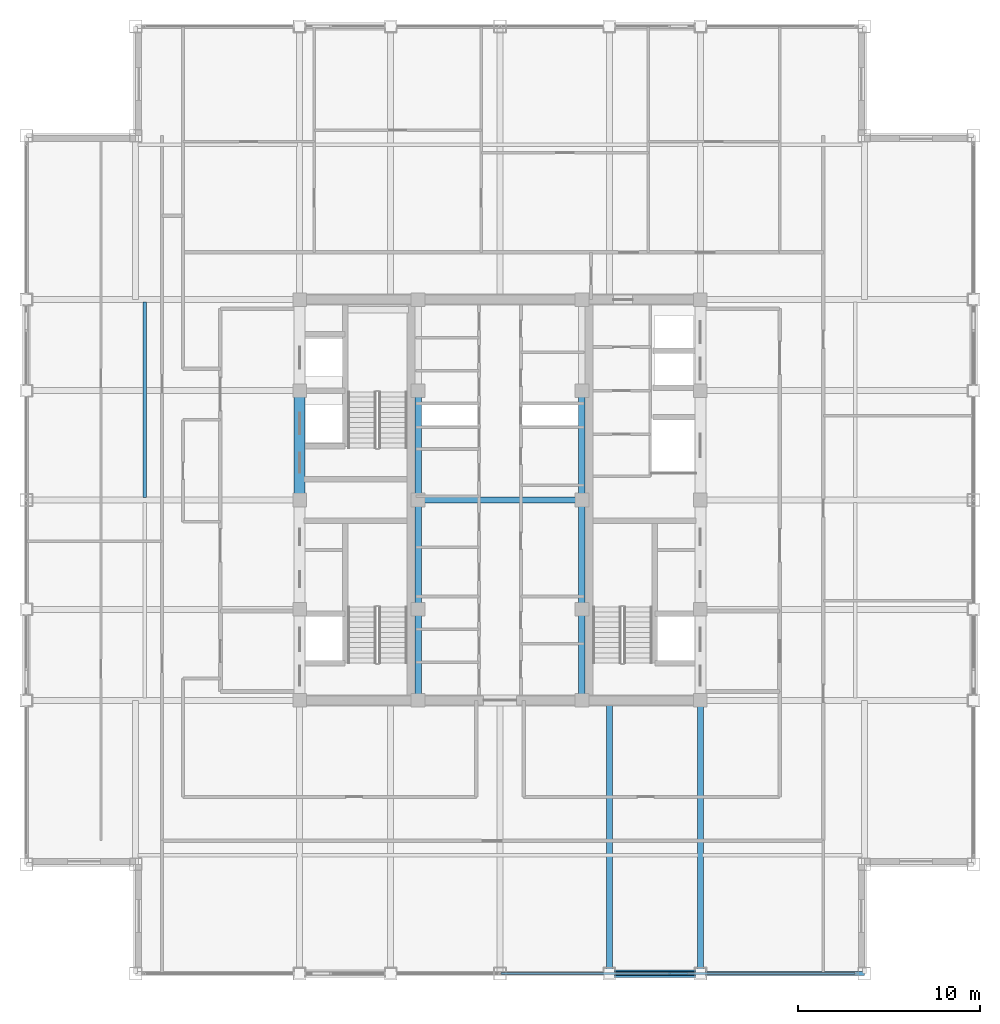
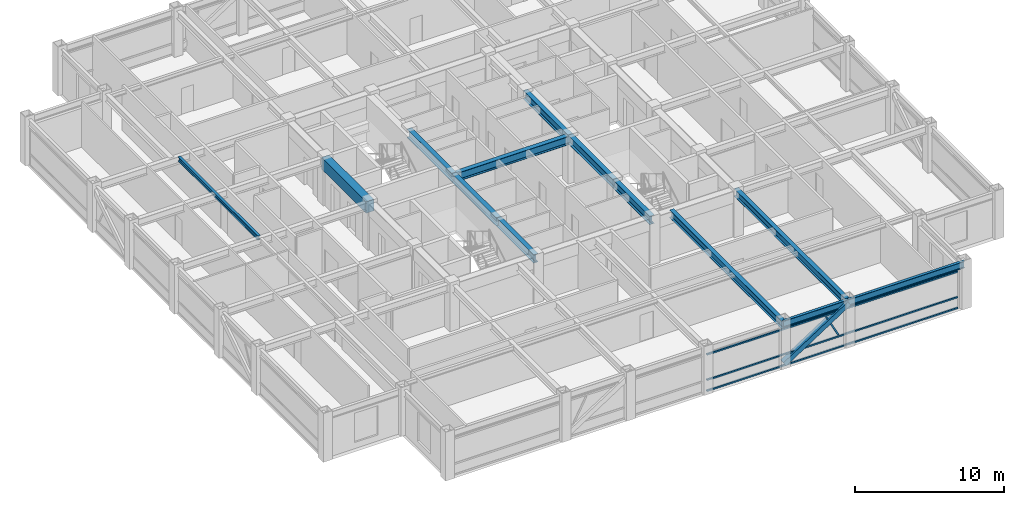
# One storey, part 7 of 29: 13 beams, 5 members, 1 element without a shape of its own.
"""IFC4 building model written with IfcOpenShell, lengths in metres."""

from ifc_helpers import new_model, si_unit, direction, frame, origin, origin_2d, place, context, subcontext, project, spatial, rectangle, hollow_rectangle, i_section, extrude, source, transform, mapped, material, material_profile, profile_set, type_object, element, aggregate, save


model = new_model("IFC4")

# Units and contexts
model_context = context("Model", 3, precision=1e-05, world=origin(), true_north=direction((0.0, 1.0)))
body_context = subcontext(model_context, "Body", "Model", "MODEL_VIEW")
ifc_project = project(units=[si_unit("LENGTHUNIT", "METRE"), si_unit("AREAUNIT", "SQUARE_METRE"), si_unit("VOLUMEUNIT", "CUBIC_METRE"), si_unit("PLANEANGLEUNIT", "RADIAN"), si_unit("MASSUNIT", "GRAM", prefix="KILO")], contexts=[model_context])

# Site, building, storey
site_placement = place(None, origin())
site = spatial("IfcSite", under=ifc_project, at=site_placement, CompositionType="ELEMENT")
building_placement = place(site_placement, origin())
building = spatial("IfcBuilding", under=site, at=building_placement, Name="Khorayat Bourse Tower", CompositionType="ELEMENT")
storey_placement = place(building_placement, frame((0.0, 0.0, 362.300048828125)))
storey = spatial("IfcBuildingStorey", under=building, at=storey_placement, Name="L86", CompositionType="ELEMENT", Elevation=362.300048828125)

# Beams
ifc_material_1 = material(Name="Steel ASTM A992 Grade 50", Category="steel")
ifc_material_profile_1 = material_profile(ifc_material_1, i_section(OverallWidth=0.35498046875, OverallDepth=0.695068359375, WebThickness=0.015380859375, FlangeThickness=0.02490234375, FilletRadius=0.01806640625, at=origin_2d()), Name="W690X217")
ifc_profile_set_1 = profile_set([ifc_material_profile_1], Name="Steel ASTM A992 Grade 50")
beam_type_1 = type_object("IfcBeamType", Name="BM-GIRD-690", PredefinedType="BEAM", material=ifc_profile_set_1)
shared_shape_1 = source(origin(), body_context, "Body", "SweptSolid", [
    extrude(i_section(OverallWidth=0.35498046875, OverallDepth=0.695068359375, WebThickness=0.015380859375, FlangeThickness=0.02490234375, FilletRadius=0.01806640625, at=origin_2d()), origin(), (0.0, 0.0, 1.0), 5.0),
])
for number, where, z_axis, x_axis, name in (
    (1, (-4.5, -11.0, 3.392333984375), (0.0, 1.0, 0.0), (-1.0, 0.0, 0.0), "L86 BM-GIRD-690 BM-L86-CRX-05"),
    (2, (4.5, -11.0, 3.392333984375), (0.0, 1.0, 0.0), (-1.0, 0.0, 0.0), "L86 BM-GIRD-690 BM-L86-CRX-09"),
):
    element("IfcBeam", number, at=place(storey_placement, frame(where, z_axis=z_axis, x_axis=x_axis)), inside=storey, type_object=beam_type_1, Name=name, PredefinedType="BEAM", context=body_context, shape_type="MappedRepresentation", body=[
        mapped(shared_shape_1, transform((0.0, 0.0, 0.0), scale=1.0)),
    ])
shared_shape_2 = source(origin(), body_context, "Body", "SweptSolid", [
    extrude(i_section(OverallWidth=0.35498046875, OverallDepth=0.695068359375, WebThickness=0.015380859375, FlangeThickness=0.02490234375, FilletRadius=0.01806640625, at=origin_2d()), origin(), (0.0, 0.0, 1.0), 6.0),
])
for number, where, z_axis, x_axis, name in (
    (3, (-4.5, -6.0, 3.392333984375), (0.0, 1.0, 0.0), (-1.0, 0.0, 0.0), "L86 BM-GIRD-690 BM-L86-CRX-06"),
    (4, (-4.5, 0.0, 3.392333984375), (0.0, 1.0, 0.0), (-1.0, 0.0, 0.0), "L86 BM-GIRD-690 BM-L86-CRX-07"),
    (5, (4.5, -6.0, 3.392333984375), (0.0, 1.0, 0.0), (-1.0, 0.0, 0.0), "L86 BM-GIRD-690 BM-L86-CRX-10"),
    (6, (4.5, 0.0, 3.392333984375), (0.0, 1.0, 0.0), (-1.0, 0.0, 0.0), "L86 BM-GIRD-690 BM-L86-CRX-11"),
):
    element("IfcBeam", number, at=place(storey_placement, frame(where, z_axis=z_axis, x_axis=x_axis)), inside=storey, type_object=beam_type_1, Name=name, PredefinedType="BEAM", context=body_context, shape_type="MappedRepresentation", body=[
        mapped(shared_shape_2, transform((0.0, 0.0, 0.0), scale=1.0)),
    ])
shared_shape_3 = source(origin(), body_context, "Body", "SweptSolid", [
    extrude(i_section(OverallWidth=0.35498046875, OverallDepth=0.695068359375, WebThickness=0.015380859375, FlangeThickness=0.02490234375, FilletRadius=0.01806640625, at=origin_2d()), origin(), (0.0, 0.0, 1.0), 9.0),
])
beam_1_placement = place(storey_placement, frame((-4.5, 0.0, 3.392333984375), z_axis=(1.0, 0.0, 0.0), x_axis=(0.0, 1.0, 0.0)))
element("IfcBeam", 7, at=beam_1_placement, inside=storey, type_object=beam_type_1, Name="L86 BM-GIRD-690 BM-L86-CRY-23", PredefinedType="BEAM", context=body_context, shape_type="MappedRepresentation", body=[
    mapped(shared_shape_3, transform((0.0, 0.0, 0.0), scale=1.0)),
])
ifc_material_2 = material(Name="Concrete C60/75", Category="concrete")
ifc_material_profile_2 = material_profile(ifc_material_2, rectangle(XDim=0.60009765625, YDim=0.949951171875, at=origin_2d()), Name="RC 600x950")
ifc_profile_set_2 = profile_set([ifc_material_profile_2], Name="Concrete C60/75")
beam_type_2 = type_object("IfcBeamType", Name="BM-COUP-950", PredefinedType="BEAM", material=ifc_profile_set_2)
shared_shape_4 = source(origin(), body_context, "Body", "SweptSolid", [
    extrude(rectangle(XDim=0.60009765625, YDim=0.949951171875, at=origin_2d()), origin(), (0.0, 0.0, 1.0), 6.0),
])
beam_2_placement = place(storey_placement, frame((-11.0, 0.0, 3.264892578125), z_axis=(0.0, 1.0, 0.0), x_axis=(-1.0, 0.0, 0.0)))
element("IfcBeam", 8, at=beam_2_placement, inside=storey, type_object=beam_type_2, Name="L86 BM-COUP-950 BM-L86-CRX-03", PredefinedType="BEAM", context=body_context, shape_type="MappedRepresentation", body=[
    mapped(shared_shape_4, transform((0.0, 0.0, 0.0), scale=1.0)),
])
ifc_material_profile_3 = material_profile(ifc_material_1, i_section(OverallWidth=0.202880859375, OverallDepth=0.346923828125, WebThickness=0.0078125, FlangeThickness=0.013427734375, FilletRadius=0.010009765625, at=origin_2d()), Name="W360X64")
ifc_profile_set_3 = profile_set([ifc_material_profile_3], Name="Steel ASTM A992 Grade 50")
beam_type_3 = type_object("IfcBeamType", Name="BM-JOIST-360", PredefinedType="JOIST", material=ifc_profile_set_3)
shared_shape_5 = source(origin(), body_context, "Body", "SweptSolid", [
    extrude(i_section(OverallWidth=0.202880859375, OverallDepth=0.346923828125, WebThickness=0.0078125, FlangeThickness=0.013427734375, FilletRadius=0.010009765625, at=origin_2d()), origin(), (0.0, 0.0, 1.0), 10.740234375),
])
beam_3_placement = place(storey_placement, frame((-19.5, 0.1298828125, 3.56640625), z_axis=(0.0, 1.0, 0.0), x_axis=(-1.0, 0.0, 0.0)))
element("IfcBeam", 9, at=beam_3_placement, inside=storey, type_object=beam_type_3, Name="L86 BM-JOIST-360 BM-L86-JSTY-087", PredefinedType="JOIST", context=body_context, shape_type="MappedRepresentation", body=[
    mapped(shared_shape_5, transform((0.0, 0.0, 0.0), scale=1.0)),
])
ifc_material_profile_4 = material_profile(ifc_material_1, i_section(OverallWidth=0.214111328125, OverallDepth=0.549072265625, WebThickness=0.0146484375, FlangeThickness=0.023681640625, FilletRadius=0.013916015625, at=origin_2d()), Name="W530X138")
ifc_profile_set_4 = profile_set([ifc_material_profile_4], Name="Steel ASTM A992 Grade 50")
beam_type_4 = type_object("IfcBeamType", Name="BM-SPAN-530", PredefinedType="SPANDREL", material=ifc_profile_set_4)
shared_shape_6 = source(origin(), body_context, "Body", "SweptSolid", [
    extrude(i_section(OverallWidth=0.214111328125, OverallDepth=0.549072265625, WebThickness=0.0146484375, FlangeThickness=0.023681640625, FilletRadius=0.013916015625, at=origin_2d()), origin(), (0.0, 0.0, 1.0), 9.0),
])
beam_4_placement = place(storey_placement, frame((11.0, -26.0, 3.46533203125), z_axis=(1.0, 0.0, 0.0), x_axis=(0.0, 1.0, 0.0)))
element("IfcBeam", 10, at=beam_4_placement, inside=storey, type_object=beam_type_4, Name="L86 BM-SPAN-530 BM-L86-SPN-029", PredefinedType="SPANDREL", context=body_context, shape_type="MappedRepresentation", body=[
    mapped(shared_shape_6, transform((0.0, 0.0, 0.0), scale=1.0)),
])
shared_shape_7 = source(origin(), body_context, "Body", "SweptSolid", [
    extrude(i_section(OverallWidth=0.214111328125, OverallDepth=0.549072265625, WebThickness=0.0146484375, FlangeThickness=0.023681640625, FilletRadius=0.013916015625, at=origin_2d()), origin(), (0.0, 0.0, 1.0), 5.0),
])
beam_5_placement = place(storey_placement, frame((6.0, -26.0, 3.46533203125), z_axis=(1.0, 0.0, 0.0), x_axis=(0.0, 1.0, 0.0)))
element("IfcBeam", 11, at=beam_5_placement, inside=storey, type_object=beam_type_4, Name="L86 BM-SPAN-530 BM-L86-SPN-028", PredefinedType="SPANDREL", context=body_context, shape_type="MappedRepresentation", body=[
    mapped(shared_shape_7, transform((0.0, 0.0, 0.0), scale=1.0)),
])
ifc_material_profile_5 = material_profile(ifc_material_1, i_section(OverallWidth=0.324951171875, OverallDepth=0.615966796875, WebThickness=0.013916015625, FlangeThickness=0.021484375, FilletRadius=0.01611328125, at=origin_2d()), Name="W610X174")
ifc_profile_set_5 = profile_set([ifc_material_profile_5], Name="Steel ASTM A992 Grade 50")
beam_type_5 = type_object("IfcBeamType", Name="BM-GIRD-610", PredefinedType="BEAM", material=ifc_profile_set_5)
shared_shape_8 = source(origin(), body_context, "Body", "SweptSolid", [
    extrude(i_section(OverallWidth=0.324951171875, OverallDepth=0.615966796875, WebThickness=0.013916015625, FlangeThickness=0.021484375, FilletRadius=0.01611328125, at=origin_2d()), origin(), (0.0, 0.0, 1.0), 15.0),
])
for number, where, z_axis, x_axis, name in (
    (12, (6.0, -26.0, 3.431884765625), (0.0, 1.0, 0.0), (-1.0, 0.0, 0.0), "L86 BM-GIRD-610 BM-L86-RADY-063"),
    (13, (11.0, -26.0, 3.431884765625), (0.0, 1.0, 0.0), (-1.0, 0.0, 0.0), "L86 BM-GIRD-610 BM-L86-RADY-065"),
):
    element("IfcBeam", number, at=place(storey_placement, frame(where, z_axis=z_axis, x_axis=x_axis)), inside=storey, type_object=beam_type_5, Name=name, PredefinedType="BEAM", context=body_context, shape_type="MappedRepresentation", body=[
        mapped(shared_shape_8, transform((0.0, 0.0, 0.0), scale=1.0)),
    ])

# Member
ifc_material_3 = material(Name="Steel EN 10025-4 S460M", Category="steel")
ifc_material_profile_6 = material_profile(ifc_material_3, hollow_rectangle(XDim=0.39990234375, YDim=0.39990234375, WallThickness=0.02197265625, at=origin_2d()), Name="HSS 400x400x22")
ifc_profile_set_6 = profile_set([ifc_material_profile_6], Name="Steel EN 10025-4 S460M")
member_type_1 = type_object("IfcMemberType", Name="MBR-TUBE-400", PredefinedType="BRACE", material=ifc_profile_set_6)
shared_shape_9 = source(origin(), body_context, "Body", "SweptSolid", [
    extrude(hollow_rectangle(XDim=0.39990234375, YDim=0.39990234375, WallThickness=0.02197265625, at=origin_2d()), origin(), (0.0, 0.0, 1.0), 5.9580078125),
])
member_1_placement = place(storey_placement, frame((6.0, -26.0, 0.25), z_axis=(0.839210474455, 0.0, 0.543806748364), x_axis=(0.0, 1.0, 0.0)))
element("IfcMember", 14, at=member_1_placement, inside=storey, type_object=member_type_1, Name="L86 Perimeter Tube Brace 02", PredefinedType="BRACE", context=body_context, shape_type="MappedRepresentation", body=[
    mapped(shared_shape_9, transform((0.0, 0.0, 0.0), scale=1.0)),
])

# Curtain wall, members
ifc_material_4 = material(Name="Aluminium EN AW-6063 T6", Category="aluminium")
curtain_wall_type = type_object("IfcCurtainWallType", Name="CW-SYS-04", PredefinedType="NOTDEFINED", material=ifc_material_4)
curtain_wall_placement = place(storey_placement, origin())
curtain_wall = element("IfcCurtainWall", 15, at=curtain_wall_placement, inside=storey, type_object=curtain_wall_type, Name="L86 Curtain Wall CW-L86-S1", PredefinedType="NOTDEFINED")
ifc_material_profile_7 = material_profile(ifc_material_4, hollow_rectangle(XDim=0.1201171875, YDim=0.1201171875, WallThickness=0.0048828125, at=origin_2d()), Name="ALU 120x120x5")
ifc_profile_set_7 = profile_set([ifc_material_profile_7], Name="Aluminium EN AW-6063 T6")
member_type_2 = type_object("IfcMemberType", Name="CWM-DIAG-120", PredefinedType="MULLION", material=ifc_profile_set_7)
shared_shape_10 = source(origin(), body_context, "Body", "SweptSolid", [
    extrude(hollow_rectangle(XDim=0.1201171875, YDim=0.1201171875, WallThickness=0.0048828125, at=origin_2d()), origin(), (0.0, 0.0, 1.0), 2.0341796875),
])
member_2_placement = place(storey_placement, frame((10.24365234375, -26.0, 1.08984375), z_axis=(-0.465696964104, 0.0, 0.884944256789), x_axis=(0.0, -1.0, 0.0)))
member_2 = element("IfcMember", 16, at=member_2_placement, type_object=member_type_2, Name="CW-L86-S1 Faceted Diagonal Mullion 2", PredefinedType="MULLION", context=body_context, shape_type="MappedRepresentation", body=[
    mapped(shared_shape_10, transform((0.0, 0.0, 0.0), scale=1.0)),
])
ifc_material_profile_8 = material_profile(ifc_material_4, hollow_rectangle(XDim=0.1201171875, YDim=0.1201171875, WallThickness=0.0048828125, at=origin_2d()), Name="ALU 120x120x5")
ifc_profile_set_8 = profile_set([ifc_material_profile_8], Name="Aluminium EN AW-6063 T6")
member_type_3 = type_object("IfcMemberType", Name="CWT-HORZ-120", PredefinedType="USERDEFINED", material=ifc_profile_set_8)
shared_shape_11 = source(origin(), body_context, "Body", "SweptSolid", [
    extrude(hollow_rectangle(XDim=0.1201171875, YDim=0.1201171875, WallThickness=0.0048828125, at=origin_2d()), origin(), (0.0, 0.0, 1.0), 19.419921875),
])
member_3_placement = place(storey_placement, frame((0.06005859375, -26.0, 0.06005859375), z_axis=(1.0, 0.0, 0.0), x_axis=(0.0, 1.0, 0.0)))
member_3 = element("IfcMember", 17, at=member_3_placement, type_object=member_type_3, Name="CW-L86-S1 Horizontal Transom 2-1", ObjectType="TRANSOM", PredefinedType="USERDEFINED", context=body_context, shape_type="MappedRepresentation", body=[
    mapped(shared_shape_11, transform((0.0, 0.0, 0.0), scale=1.0)),
])
member_4_placement = place(storey_placement, frame((0.06005859375, -26.0, 0.949951171875), z_axis=(1.0, 0.0, 0.0), x_axis=(0.0, 1.0, 0.0)))
member_4 = element("IfcMember", 18, at=member_4_placement, type_object=member_type_3, Name="CW-L86-S1 Horizontal Transom 2-2", ObjectType="TRANSOM", PredefinedType="USERDEFINED", context=body_context, shape_type="MappedRepresentation", body=[
    mapped(shared_shape_11, transform((0.0, 0.0, 0.0), scale=1.0)),
])
member_5_placement = place(storey_placement, frame((0.06005859375, -26.0, 3.030029296875), z_axis=(1.0, 0.0, 0.0), x_axis=(0.0, 1.0, 0.0)))
member_5 = element("IfcMember", 19, at=member_5_placement, type_object=member_type_3, Name="CW-L86-S1 Horizontal Transom 2-3", ObjectType="TRANSOM", PredefinedType="USERDEFINED", context=body_context, shape_type="MappedRepresentation", body=[
    mapped(shared_shape_11, transform((0.0, 0.0, 0.0), scale=1.0)),
])
aggregate(curtain_wall, [member_3, member_4, member_5, member_2])

save(model, "model.ifc")
